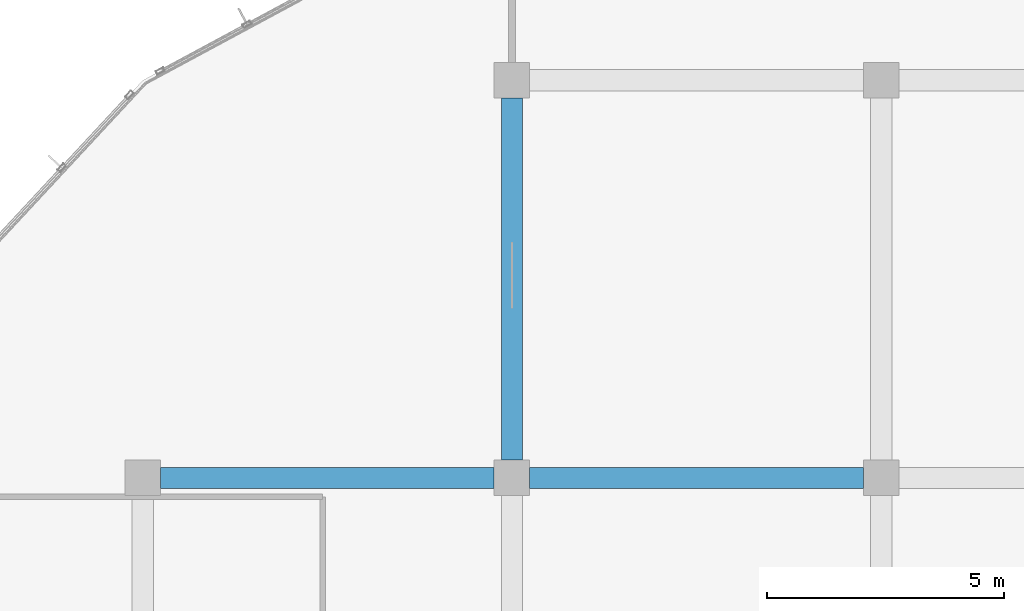
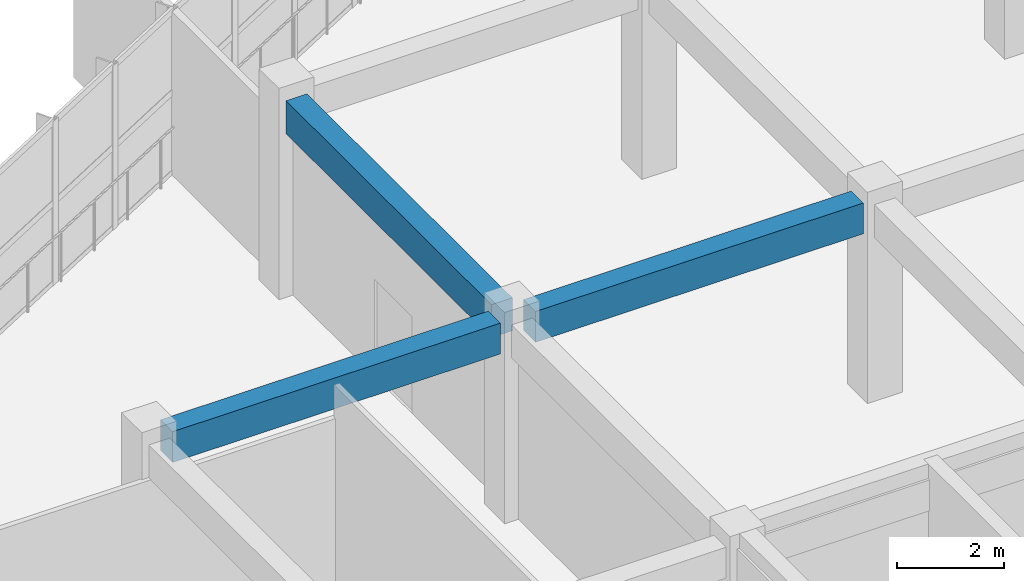
# One storey, part 42 of 167: 3 beams.
"""IFC4 building model written with IfcOpenShell, lengths in metres."""

from ifc_helpers import new_model, si_unit, direction, frame, origin, origin_2d, place, context, subcontext, project, spatial, rectangle, extrude, material, material_profile, profile_set, type_object, element, save


model = new_model("IFC4")

# Units and contexts
model_context = context("Model", 3, precision=1e-05, world=origin(), true_north=direction((0.0, 1.0)))
body_context = subcontext(model_context, "Body", "Model", "MODEL_VIEW")
ifc_project = project(units=[si_unit("LENGTHUNIT", "METRE"), si_unit("AREAUNIT", "SQUARE_METRE"), si_unit("VOLUMEUNIT", "CUBIC_METRE"), si_unit("PLANEANGLEUNIT", "RADIAN"), si_unit("MASSUNIT", "GRAM", prefix="KILO")], contexts=[model_context])

# Site, building, storey
site_placement = place(None, origin())
site = spatial("IfcSite", under=ifc_project, at=site_placement, CompositionType="ELEMENT")
building_placement = place(site_placement, origin())
building = spatial("IfcBuilding", under=site, at=building_placement, Name="Zizhar Promenade General Hospital", CompositionType="ELEMENT")
storey_placement = place(building_placement, frame((0.0, 0.0, 9.60009765625)))
storey = spatial("IfcBuildingStorey", under=building, at=storey_placement, Name="L02", CompositionType="ELEMENT", Elevation=9.60009765625)

# Beams
ifc_material_1 = material(Name="Concrete C35/45", Category="concrete")
ifc_material_profile_1 = material_profile(ifc_material_1, rectangle(XDim=0.449951171875, YDim=0.699951171875, at=origin_2d()))
ifc_profile_set_1 = profile_set([ifc_material_profile_1], Name="Concrete C35/45")
beam_type_1 = type_object("IfcBeamType", Name="BM-RC-450x700", PredefinedType="BEAM", material=ifc_profile_set_1)
beam_1_placement = place(storey_placement, frame((15.97509765625, 67.199951171875, 4.119873046875), z_axis=(1.0, 0.0, 0.0), x_axis=(0.0, 1.0, 0.0)))
element("IfcBeam", 1, at=beam_1_placement, inside=storey, type_object=beam_type_1, Name="Grid Beam X L02 (2-8)", PredefinedType="BEAM", context=body_context, shape_type="SweptSolid", body=[
    extrude(rectangle(XDim=0.449951171875, YDim=0.699951171875, at=origin_2d()), origin(), (0.0, 0.0, 1.0), 7.0498046875),
])
beam_2_placement = place(storey_placement, frame((23.77490234375, 67.199951171875, 4.119873046875), z_axis=(1.0, 0.0, 0.0), x_axis=(0.0, 1.0, 0.0)))
element("IfcBeam", 2, at=beam_2_placement, inside=storey, type_object=beam_type_1, Name="Grid Beam X L02 (3-8)", PredefinedType="BEAM", context=body_context, shape_type="SweptSolid", body=[
    extrude(rectangle(XDim=0.449951171875, YDim=0.699951171875, at=origin_2d()), origin(), (0.0, 0.0, 1.0), 7.050048828125),
])
ifc_material_2 = material(Name="Concrete C35/45", Category="concrete")
ifc_material_profile_2 = material_profile(ifc_material_2, rectangle(XDim=0.449951171875, YDim=0.75, at=origin_2d()))
ifc_profile_set_2 = profile_set([ifc_material_profile_2], Name="Concrete C35/45")
beam_type_2 = type_object("IfcBeamType", Name="BM-RC-450x750", PredefinedType="BEAM", material=ifc_profile_set_2)
beam_3_placement = place(storey_placement, frame((23.39990234375, 67.574951171875, 4.094970703125), z_axis=(0.0, 1.0, 0.0), x_axis=(-1.0, 0.0, 0.0)))
element("IfcBeam", 3, at=beam_3_placement, inside=storey, type_object=beam_type_2, Name="Grid Beam Y L02 (3-8)", PredefinedType="BEAM", context=body_context, shape_type="SweptSolid", body=[
    extrude(rectangle(XDim=0.449951171875, YDim=0.75, at=origin_2d()), origin(), (0.0, 0.0, 1.0), 7.650146484375),
])

save(model, "model.ifc")
